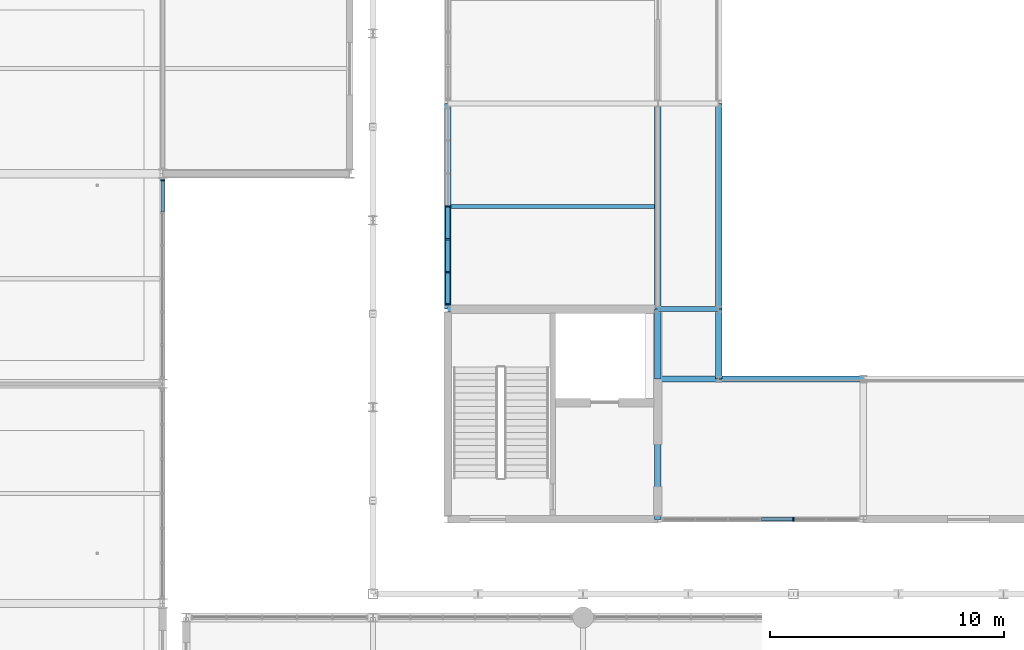
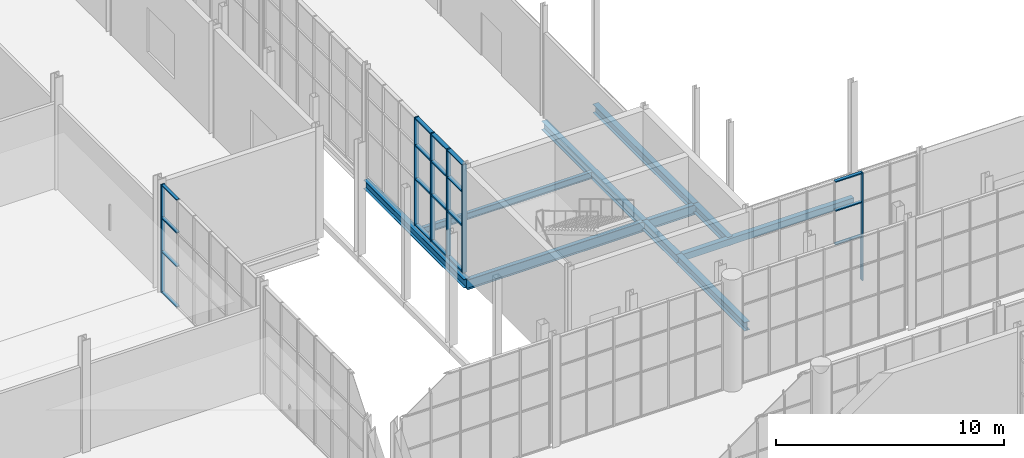
# One storey, part 52 of 159: 25 members, 10 beams, 3 elements without a shape of their own.
"""IFC4 building model written with IfcOpenShell, lengths in metres."""

import ifcopenshell
import ifcopenshell.guid

model = None  # the IFC model being written
_history = None  # IfcOwnerHistory: only IFC2X3 demands one
_inside = {}  # id of a spatial element -> (the spatial element, [elements in it])
_under = {}  # id of a project, library or spatial element -> (it, [spatial elements below it])
_declared = {}  # id of a project -> (the project, [libraries it declares])
_typed = {}  # id of a type object -> (the type object, [elements of that type])
_made_of = {}  # id of a material, layer set ... -> (it, [elements and type objects made of it])


def new_model(schema):
    """Start an empty IFC model of exactly this schema.

    Asked for "IFC4X3", IfcOpenShell would pick the latest addendum, in which some entities
    have other attributes; the version numbers below select the first issue.
    IFC2X3 requires an IfcOwnerHistory on every rooted entity: one is made here for all.
    """
    global model, _history
    if schema == "IFC4X3":
        model = ifcopenshell.file(schema_version=(4, 3, 0, 0))
    else:
        model = ifcopenshell.file(schema=schema)
    _inside.clear()
    _under.clear()
    _declared.clear()
    _typed.clear()
    _made_of.clear()
    _history = None
    if model.schema == "IFC2X3":
        org = make("IfcOrganization", Name="unknown")
        user = make(
            "IfcPersonAndOrganization",
            ThePerson=make("IfcPerson", FamilyName="unknown"),
            TheOrganization=org,
        )
        app = make(
            "IfcApplication",
            ApplicationDeveloper=org,
            Version="unknown",
            ApplicationFullName="unknown",
            ApplicationIdentifier="unknown",
        )
        _history = make(
            "IfcOwnerHistory",
            OwningUser=user,
            OwningApplication=app,
            ChangeAction="ADDED",
            CreationDate=0,
        )
    return model


def make(cls, **values):
    """One entity of the class cls with the attributes given. An attribute that is None is left unset."""
    return model.create_entity(
        cls, **{name: value for name, value in values.items() if value is not None}
    )


def rooted(cls, **values):
    """An entity with a GlobalId (a new one), such as an element, a storey or a relation."""
    return make(cls, GlobalId=ifcopenshell.guid.new(), OwnerHistory=_history, **values)


def si_unit(unit_type, name, prefix=None):
    """IfcSIUnit, for example si_unit("LENGTHUNIT", "METRE", prefix="MILLI")."""
    return make("IfcSIUnit", UnitType=unit_type, Prefix=prefix, Name=name)


def assignment(units):
    """IfcUnitAssignment: the units of a project."""
    return None if units is None else make("IfcUnitAssignment", Units=units)


def point(xyz):
    """IfcCartesianPoint."""
    return None if xyz is None else make("IfcCartesianPoint", Coordinates=xyz)


def direction(xyz):
    """IfcDirection."""
    return None if xyz is None else make("IfcDirection", DirectionRatios=xyz)


def frame(location, z_axis=None, x_axis=None):
    """IfcAxis2Placement3D, a coordinate frame: its origin and axes. An axis left out is left unset."""
    return make(
        "IfcAxis2Placement3D",
        Location=point(location),
        Axis=direction(z_axis),
        RefDirection=direction(x_axis),
    )


def frame_2d(location, x_axis=None):
    """IfcAxis2Placement2D, a coordinate frame in the plane: its origin and x axis."""
    return make(
        "IfcAxis2Placement2D", Location=point(location), RefDirection=direction(x_axis)
    )


def origin():
    """The frame at (0, 0, 0) with its axes left unset."""
    return frame((0.0, 0.0, 0.0))


def origin_2d():
    """The frame at (0, 0) in the plane with its x axis left unset."""
    return frame_2d((0.0, 0.0))


def place(relative_to, where):
    """IfcLocalPlacement: puts the frame where relative to a parent placement (None: the world)."""
    return make(
        "IfcLocalPlacement", PlacementRelTo=relative_to, RelativePlacement=where
    )


def context(
    kind, dimensions, precision=None, world=None, true_north=None, identifier=None
):
    """IfcGeometricRepresentationContext, for example the 3D "Model" context."""
    return make(
        "IfcGeometricRepresentationContext",
        ContextIdentifier=identifier,
        ContextType=kind,
        CoordinateSpaceDimension=dimensions,
        Precision=precision,
        WorldCoordinateSystem=world,
        TrueNorth=true_north,
    )


def subcontext(parent, identifier, kind, view, scale=None):
    """IfcGeometricRepresentationSubContext, for example "Body" below "Model"."""
    return make(
        "IfcGeometricRepresentationSubContext",
        ContextIdentifier=identifier,
        ContextType=kind,
        ParentContext=parent,
        TargetScale=scale,
        TargetView=view,
    )


def project(units=None, contexts=None):
    """IfcProject with its units and contexts."""
    return rooted(
        "IfcProject",
        Name="project",
        RepresentationContexts=contexts,
        UnitsInContext=assignment(units),
    )


def spatial(cls, under=None, at=None, **own):
    """A site, building, storey or space (cls), placed at a placement, below another one or the project."""
    s = rooted(cls, ObjectPlacement=at, **own)
    if under is not None:
        _under.setdefault(under.id(), (under, []))[1].append(s)
    return s


def profile(cls, at=None, kind="AREA", **sizes):
    """A parametric profile (cls). Its sizes go by their IFC names, for example OverallWidth=200.0."""
    return make(cls, ProfileType=kind, Position=at, **sizes)


def rectangle(**sizes):
    """IfcRectangleProfileDef."""
    return profile("IfcRectangleProfileDef", **sizes)


def hollow_rectangle(**sizes):
    """IfcRectangleHollowProfileDef."""
    return profile("IfcRectangleHollowProfileDef", **sizes)


def i_section(**sizes):
    """IfcIShapeProfileDef."""
    return profile("IfcIShapeProfileDef", **sizes)


def extrude(swept, where, along, depth):
    """IfcExtrudedAreaSolid: the profile swept, set in the frame where, extruded along a direction by depth."""
    return make(
        "IfcExtrudedAreaSolid",
        SweptArea=swept,
        Position=where,
        ExtrudedDirection=direction(along),
        Depth=depth,
    )


def shape(context_of_items, identifier, shape_type, items):
    """IfcShapeRepresentation: the items that make up one representation, for example the "Body"."""
    return make(
        "IfcShapeRepresentation",
        ContextOfItems=context_of_items,
        RepresentationIdentifier=identifier,
        RepresentationType=shape_type,
        Items=items,
    )


def material(Name=None, Category=None):
    """IfcMaterial."""
    return make("IfcMaterial", Name=Name, Category=Category)


def layer(
    of_material, thickness, ventilated=None, Name=None, Category=None, Priority=None
):
    """IfcMaterialLayer: one layer of a wall or slab, of a material (None: an air gap)."""
    return make(
        "IfcMaterialLayer",
        Material=of_material,
        LayerThickness=thickness,
        IsVentilated=ventilated,
        Name=Name,
        Category=Category,
        Priority=Priority,
    )


def layer_set(layers, Name=None):
    """IfcMaterialLayerSet."""
    return make("IfcMaterialLayerSet", MaterialLayers=layers, LayerSetName=Name)


def material_profile(
    of_material, cross_section, Name=None, Category=None, Priority=None
):
    """IfcMaterialProfile: a cross section and its material."""
    return make(
        "IfcMaterialProfile",
        Name=Name,
        Material=of_material,
        Profile=cross_section,
        Priority=Priority,
        Category=Category,
    )


def profile_set(profiles, Name=None, composite=None):
    """IfcMaterialProfileSet."""
    return make(
        "IfcMaterialProfileSet",
        Name=Name,
        MaterialProfiles=profiles,
        CompositeProfile=composite,
    )


def made_of(thing, what):
    """Note that an element or type object is made of a material, layer set ...; save() writes the relation."""
    if what is not None:
        _made_of.setdefault(what.id(), (what, []))[1].append(thing)
    return thing


def type_object(cls, material=None, **own):
    """A type object (cls), such as IfcWallType, which elements share."""
    return made_of(rooted(cls, **own), material)


def element(
    cls,
    number,
    at=None,
    inside=None,
    cuts=None,
    type_object=None,
    material=None,
    context=None,
    identifier="Body",
    shape_type=None,
    held_by="IfcProductDefinitionShape",
    body=None,
    shapes=None,
    **own,
):
    """One element of the class cls, such as IfcWall. Its Tag is "e" and its number.

    at: its placement. inside: the storey or other place that contains it. cuts: it is an
    opening in that element (IfcRelVoidsElement). A single representation is given by context,
    identifier, shape_type and body (its items); several are given by shapes. held_by: the class
    of the entity that holds the representations. save() writes the other relations.
    """
    e = rooted(cls, Tag="e%d" % number, ObjectPlacement=at, **own)
    if body is not None:
        shapes = [shape(context, identifier, shape_type, body)]
    if shapes is not None:
        e.Representation = make(held_by, Representations=shapes)
    if inside is not None:
        _inside.setdefault(inside.id(), (inside, []))[1].append(e)
    if cuts is not None:
        rooted(
            "IfcRelVoidsElement", RelatingBuildingElement=cuts, RelatedOpeningElement=e
        )
    if type_object is not None:
        _typed.setdefault(type_object.id(), (type_object, []))[1].append(e)
    return made_of(e, material)


def aggregate(whole, parts):
    """IfcRelAggregates: a whole, such as a stair, and the parts it consists of."""
    return rooted("IfcRelAggregates", RelatingObject=whole, RelatedObjects=parts)


def save(model, path):
    """Write the relations noted so far, then the file.

    IfcRelAggregates (storeys below a building ...), IfcRelContainedInSpatialStructure (elements
    in a storey), IfcRelDefinesByType, IfcRelAssociatesMaterial and IfcRelDeclares: one each for
    every whole, place, type object, material and project.
    """
    for whole, parts in _under.values():
        aggregate(whole, parts)
    for where, things in _inside.values():
        rooted(
            "IfcRelContainedInSpatialStructure",
            RelatedElements=things,
            RelatingStructure=where,
        )
    for kind, things in _typed.values():
        rooted("IfcRelDefinesByType", RelatedObjects=things, RelatingType=kind)
    for what, things in _made_of.values():
        rooted("IfcRelAssociatesMaterial", RelatedObjects=things, RelatingMaterial=what)
    for by, libraries in _declared.values():
        rooted("IfcRelDeclares", RelatingContext=by, RelatedDefinitions=libraries)
    model.write(path)


model = new_model("IFC4")

# Units and contexts
model_context = context("Model", 3, precision=1e-05, world=origin(), true_north=direction((0.0, 1.0)))
body_context = subcontext(model_context, "Body", "Model", "MODEL_VIEW")
ifc_project = project(units=[si_unit("LENGTHUNIT", "METRE"), si_unit("AREAUNIT", "SQUARE_METRE"), si_unit("VOLUMEUNIT", "CUBIC_METRE"), si_unit("PLANEANGLEUNIT", "RADIAN"), si_unit("MASSUNIT", "GRAM", prefix="KILO")], contexts=[model_context])

# Site, building, storey
site_placement = place(None, origin())
site = spatial("IfcSite", under=ifc_project, at=site_placement, CompositionType="ELEMENT")
building_placement = place(site_placement, origin())
building = spatial("IfcBuilding", under=site, at=building_placement, Name="Cazmaro Siding Exhibition Halls", CompositionType="ELEMENT")
storey_placement = place(building_placement, frame((0.0, 0.0, 6.0)))
storey = spatial("IfcBuildingStorey", under=building, at=storey_placement, Name="L01", CompositionType="ELEMENT", Elevation=6.0)

# Beams
ifc_material_1 = material(Name="Steel ASTM A992 Grade 50", Category="steel")
ifc_material_profile_1 = material_profile(ifc_material_1, i_section(OverallWidth=0.2099609375, OverallDepth=0.535888671875, WebThickness=0.010986328125, FlangeThickness=0.01708984375, at=origin_2d()), Name="W21X68")
ifc_profile_set_1 = profile_set([ifc_material_profile_1], Name="Steel ASTM A992 Grade 50")
beam_type_1 = type_object("IfcBeamType", Name="B-02", PredefinedType="BEAM", material=ifc_profile_set_1)
beam_1_placement = place(storey_placement, frame((48.199951171875, 76.199951171875, -0.488037109375), z_axis=(1.0, 0.0, 0.0), x_axis=(0.0, 1.0, 0.0)))
element("IfcBeam", 1, at=beam_1_placement, inside=storey, type_object=beam_type_1, Name="Beam B-02 BM-0348", PredefinedType="BEAM", context=body_context, shape_type="SweptSolid", body=[
    extrude(i_section(OverallWidth=0.2099609375, OverallDepth=0.535888671875, WebThickness=0.010986328125, FlangeThickness=0.01708984375, at=origin_2d()), origin(), (0.0, 0.0, 1.0), 9.0),
])
beam_2_placement = place(storey_placement, frame((57.199951171875, 76.199951171875, -0.488037109375), z_axis=(1.0, 0.0, 0.0), x_axis=(0.0, 1.0, 0.0)))
element("IfcBeam", 2, at=beam_2_placement, inside=storey, type_object=beam_type_1, Name="Beam B-02 BM-0364", PredefinedType="BEAM", context=body_context, shape_type="SweptSolid", body=[
    extrude(i_section(OverallWidth=0.2099609375, OverallDepth=0.535888671875, WebThickness=0.010986328125, FlangeThickness=0.01708984375, at=origin_2d()), origin(), (0.0, 0.0, 1.0), 2.60009765625),
])
ifc_material_2 = material(Name="Steel ASTM A992 Grade 50", Category="steel")
ifc_material_profile_2 = material_profile(ifc_material_2, i_section(OverallWidth=0.279052734375, OverallDepth=0.4619140625, WebThickness=0.010986328125, FlangeThickness=0.01708984375, at=origin_2d()), Name="W18X76")
ifc_profile_set_2 = profile_set([ifc_material_profile_2], Name="Steel ASTM A992 Grade 50")
beam_type_2 = type_object("IfcBeamType", Name="B-03", PredefinedType="BEAM", material=ifc_profile_set_2)
beam_3_placement = place(storey_placement, frame((57.199951171875, 67.199951171875, -0.450927734375), z_axis=(0.0, 1.0, 0.0), x_axis=(-1.0, 0.0, 0.0)))
element("IfcBeam", 3, at=beam_3_placement, inside=storey, type_object=beam_type_2, Name="Beam B-03 BM-0336", PredefinedType="BEAM", context=body_context, shape_type="SweptSolid", body=[
    extrude(i_section(OverallWidth=0.279052734375, OverallDepth=0.4619140625, WebThickness=0.010986328125, FlangeThickness=0.01708984375, at=origin_2d()), origin(), (0.0, 0.0, 1.0), 6.0),
])
for number, where, z_axis, x_axis, name in (
    (4, (48.199951171875, 76.199951171875, -0.450927734375), (0.0, 1.0, 0.0), (-1.0, 0.0, 0.0), "Beam B-03 BM-0352"),
    (5, (57.199951171875, 76.199951171875, -0.450927734375), (0.0, 1.0, 0.0), (-1.0, 0.0, 0.0), "Beam B-03 BM-0353"),
    (6, (59.800048828125, 76.199951171875, -0.450927734375), (0.0, 1.0, 0.0), (-1.0, 0.0, 0.0), "Beam B-03 BM-0368"),
):
    element("IfcBeam", number, at=place(storey_placement, frame(where, z_axis=z_axis, x_axis=x_axis)), inside=storey, type_object=beam_type_2, Name=name, PredefinedType="BEAM", context=body_context, shape_type="SweptSolid", body=[
        extrude(i_section(OverallWidth=0.279052734375, OverallDepth=0.4619140625, WebThickness=0.010986328125, FlangeThickness=0.01708984375, at=origin_2d()), origin(), (0.0, 0.0, 1.0), 8.800048828125),
    ])
for number, where, z_axis, x_axis, name in (
    (7, (57.199951171875, 73.199951171875, -0.450927734375), (0.0, 1.0, 0.0), (-1.0, 0.0, 0.0), "Beam B-03 BM-0394"),
    (8, (59.800048828125, 73.199951171875, -0.450927734375), (0.0, 1.0, 0.0), (-1.0, 0.0, 0.0), "Beam B-03 BM-0395"),
):
    element("IfcBeam", number, at=place(storey_placement, frame(where, z_axis=z_axis, x_axis=x_axis)), inside=storey, type_object=beam_type_2, Name=name, PredefinedType="BEAM", context=body_context, shape_type="SweptSolid", body=[
        extrude(i_section(OverallWidth=0.279052734375, OverallDepth=0.4619140625, WebThickness=0.010986328125, FlangeThickness=0.01708984375, at=origin_2d()), origin(), (0.0, 0.0, 1.0), 3.0),
    ])
ifc_material_3 = material(Name="Steel ASTM A500 Grade C", Category="steel")
ifc_material_profile_3 = material_profile(ifc_material_3, hollow_rectangle(XDim=0.25390625, YDim=0.35595703125, WallThickness=0.014892578125, at=origin_2d()), Name="HSS14X10X5/8")
ifc_profile_set_3 = profile_set([ifc_material_profile_3], Name="Steel ASTM A500 Grade C")
beam_type_3 = type_object("IfcBeamType", Name="B-06", PredefinedType="BEAM", material=ifc_profile_set_3)
beam_4_placement = place(storey_placement, frame((57.199951171875, 73.199951171875, -0.39794921875), z_axis=(1.0, 0.0, 0.0), x_axis=(0.0, 1.0, 0.0)))
element("IfcBeam", 9, at=beam_4_placement, inside=storey, type_object=beam_type_3, Name="Beam B-06 BM-0315", PredefinedType="BEAM", context=body_context, shape_type="SweptSolid", body=[
    extrude(hollow_rectangle(XDim=0.25390625, YDim=0.35595703125, WallThickness=0.014892578125, at=origin_2d()), origin(), (0.0, 0.0, 1.0), 8.800048828125),
])

# Curtain wall, member
ifc_material_4 = material(Name="Anodized Bronze Aluminum and Solar-Control Low-E Glazing", Category="aluminium")
ifc_layer_1 = layer(ifc_material_4, 0.179931640625)
ifc_layer_set_1 = layer_set([ifc_layer_1], Name="Anodized Bronze Aluminum and Solar-Control Low-E Glazing")
curtain_wall_type_1 = type_object("IfcCurtainWallType", Name="CWS-01", PredefinedType="USERDEFINED", material=ifc_layer_set_1)
curtain_wall_1_placement = place(storey_placement, origin())
curtain_wall_1 = element("IfcCurtainWall", 10, at=curtain_wall_1_placement, inside=storey, type_object=curtain_wall_type_1, Name="Glazed Curtain Wall CWS-01 CW-004", ObjectType="GLAZED CURTAIN WALL", PredefinedType="USERDEFINED")
ifc_material_5 = material(Name="Anodized Bronze Extruded Aluminum", Category="aluminium")
ifc_material_profile_4 = material_profile(ifc_material_5, rectangle(XDim=0.179931640625, YDim=0.06005859375, at=origin_2d()), Name="CWM-01")
ifc_profile_set_4 = profile_set([ifc_material_profile_4], Name="Anodized Bronze Extruded Aluminum")
member_type_1 = type_object("IfcMemberType", Name="CWM-01", PredefinedType="MULLION", material=ifc_profile_set_4)
member_1_placement = place(storey_placement, frame((63.0009765625, 67.199951171875, 0.0), z_axis=(0.0, 0.0, 1.0), x_axis=(0.0, 1.0, 0.0)))
member_1 = element("IfcMember", 11, at=member_1_placement, type_object=member_type_1, Name="CWS-01 mullion 5", PredefinedType="MULLION", context=body_context, shape_type="SweptSolid", body=[
    extrude(rectangle(XDim=0.179931640625, YDim=0.06005859375, at=origin_2d()), origin(), (0.0, 0.0, 1.0), 5.780029296875),
])

curtain_wall_2_placement = place(storey_placement, origin())
curtain_wall_2 = element("IfcCurtainWall", 12, at=curtain_wall_2_placement, inside=storey, type_object=curtain_wall_type_1, Name="Glazed Curtain Wall CWS-01 CW-232", ObjectType="GLAZED CURTAIN WALL", PredefinedType="USERDEFINED")
member_2_placement = place(storey_placement, frame((36.0, 81.717041015625, 0.0), z_axis=(0.0, 0.0, 1.0), x_axis=(-1.0, 0.0, 0.0)))
member_2 = element("IfcMember", 13, at=member_2_placement, type_object=member_type_1, Name="CWS-01 mullion 7", PredefinedType="MULLION", context=body_context, shape_type="SweptSolid", body=[
    extrude(rectangle(XDim=0.179931640625, YDim=0.06005859375, at=origin_2d()), origin(), (0.0, 0.0, 1.0), 5.780029296875),
])

# Curtain wall, members
ifc_material_6 = material(Name="Anodized Bronze Aluminum and Solar-Control Low-E Glazing", Category="aluminium")
ifc_layer_2 = layer(ifc_material_6, 0.219970703125)
ifc_layer_set_2 = layer_set([ifc_layer_2], Name="Anodized Bronze Aluminum and Solar-Control Low-E Glazing")
curtain_wall_type_2 = type_object("IfcCurtainWallType", Name="CWS-03", PredefinedType="USERDEFINED", material=ifc_layer_set_2)
curtain_wall_3_placement = place(storey_placement, origin())
curtain_wall_3 = element("IfcCurtainWall", 14, at=curtain_wall_3_placement, inside=storey, type_object=curtain_wall_type_2, Name="Glazed Curtain Wall CWS-03 CW-051", ObjectType="GLAZED CURTAIN WALL", PredefinedType="USERDEFINED")
ifc_material_7 = material(Name="Anodized Bronze Extruded Aluminum", Category="aluminium")
ifc_material_profile_5 = material_profile(ifc_material_7, rectangle(XDim=0.219970703125, YDim=0.070068359375, at=origin_2d()), Name="CWM-03")
ifc_profile_set_5 = profile_set([ifc_material_profile_5], Name="Anodized Bronze Extruded Aluminum")
member_type_2 = type_object("IfcMemberType", Name="CWM-03", PredefinedType="MULLION", material=ifc_profile_set_5)
member_3_placement = place(storey_placement, frame((48.199951171875, 80.60009765625, 0.0), z_axis=(0.0, 0.0, 1.0), x_axis=(1.0, 0.0, 0.0)))
member_3 = element("IfcMember", 15, at=member_3_placement, type_object=member_type_2, Name="CWS-03 mullion 4", PredefinedType="MULLION", context=body_context, shape_type="SweptSolid", body=[
    extrude(rectangle(XDim=0.219970703125, YDim=0.070068359375, at=origin_2d()), origin(), (0.0, 0.0, 1.0), 5.780029296875),
])
member_4_placement = place(storey_placement, frame((48.199951171875, 79.1923828125, 0.0), z_axis=(0.0, 0.0, 1.0), x_axis=(1.0, 0.0, 0.0)))
member_4 = element("IfcMember", 16, at=member_4_placement, type_object=member_type_2, Name="CWS-03 mullion 5", PredefinedType="MULLION", context=body_context, shape_type="SweptSolid", body=[
    extrude(rectangle(XDim=0.219970703125, YDim=0.070068359375, at=origin_2d()), origin(), (0.0, 0.0, 1.0), 5.780029296875),
])
member_5_placement = place(storey_placement, frame((48.199951171875, 77.78466796875, 0.0), z_axis=(0.0, 0.0, 1.0), x_axis=(1.0, 0.0, 0.0)))
member_5 = element("IfcMember", 17, at=member_5_placement, type_object=member_type_2, Name="CWS-03 mullion 6", PredefinedType="MULLION", context=body_context, shape_type="SweptSolid", body=[
    extrude(rectangle(XDim=0.219970703125, YDim=0.070068359375, at=origin_2d()), origin(), (0.0, 0.0, 1.0), 5.780029296875),
])
member_6_placement = place(storey_placement, frame((48.199951171875, 76.412109375, 0.0), z_axis=(0.0, 0.0, 1.0), x_axis=(1.0, 0.0, 0.0)))
member_6 = element("IfcMember", 18, at=member_6_placement, type_object=member_type_2, Name="CWS-03 mullion 7", PredefinedType="MULLION", context=body_context, shape_type="SweptSolid", body=[
    extrude(rectangle(XDim=0.219970703125, YDim=0.070068359375, at=origin_2d()), origin(), (0.0, 0.0, 1.0), 5.780029296875),
])

# Member
ifc_material_8 = material(Name="Anodized Bronze Extruded Aluminum", Category="aluminium")
ifc_material_profile_6 = material_profile(ifc_material_8, rectangle(XDim=0.159912109375, YDim=0.06005859375, at=origin_2d()), Name="CWT-01")
ifc_profile_set_6 = profile_set([ifc_material_profile_6], Name="Anodized Bronze Extruded Aluminum")
member_type_3 = type_object("IfcMemberType", Name="CWT-01", PredefinedType="MULLION", material=ifc_profile_set_6)
member_7_placement = place(storey_placement, frame((61.6298828125, 67.199951171875, 2.39990234375), z_axis=(1.0, 0.0, 0.0), x_axis=(0.0, 1.0, 0.0)))
member_7 = element("IfcMember", 19, at=member_7_placement, type_object=member_type_3, Name="CWS-01 transom 4.2", ObjectType="TRANSOM", PredefinedType="USERDEFINED", context=body_context, shape_type="SweptSolid", body=[
    extrude(rectangle(XDim=0.159912109375, YDim=0.06005859375, at=origin_2d()), origin(), (0.0, 0.0, 1.0), 1.341064453125),
])

member_8_placement = place(storey_placement, frame((61.6298828125, 67.199951171875, 4.199951171875), z_axis=(1.0, 0.0, 0.0), x_axis=(0.0, 1.0, 0.0)))
member_8 = element("IfcMember", 20, at=member_8_placement, type_object=member_type_3, Name="CWS-01 transom 4.3", ObjectType="TRANSOM", PredefinedType="USERDEFINED", context=body_context, shape_type="SweptSolid", body=[
    extrude(rectangle(XDim=0.159912109375, YDim=0.06005859375, at=origin_2d()), origin(), (0.0, 0.0, 1.0), 1.341064453125),
])

member_9_placement = place(storey_placement, frame((61.6298828125, 67.199951171875, 5.75), z_axis=(1.0, 0.0, 0.0), x_axis=(0.0, 1.0, 0.0)))
member_9 = element("IfcMember", 21, at=member_9_placement, type_object=member_type_3, Name="CWS-01 transom 4.4", ObjectType="TRANSOM", PredefinedType="USERDEFINED", context=body_context, shape_type="SweptSolid", body=[
    extrude(rectangle(XDim=0.159912109375, YDim=0.06005859375, at=origin_2d()), origin(), (0.0, 0.0, 1.0), 1.341064453125),
])

aggregate(curtain_wall_1, [member_1, member_7, member_8, member_9])

member_10_placement = place(storey_placement, frame((36.0, 80.361328125, 0.030029296875), z_axis=(0.0, 1.0, 0.0), x_axis=(-1.0, 0.0, 0.0)))
member_10 = element("IfcMember", 22, at=member_10_placement, type_object=member_type_3, Name="CWS-01 transom 6.1", ObjectType="TRANSOM", PredefinedType="USERDEFINED", context=body_context, shape_type="SweptSolid", body=[
    extrude(rectangle(XDim=0.159912109375, YDim=0.06005859375, at=origin_2d()), origin(), (0.0, 0.0, 1.0), 1.32568359375),
])

member_11_placement = place(storey_placement, frame((36.0, 80.361328125, 2.199951171875), z_axis=(0.0, 1.0, 0.0), x_axis=(-1.0, 0.0, 0.0)))
member_11 = element("IfcMember", 23, at=member_11_placement, type_object=member_type_3, Name="CWS-01 transom 6.2", ObjectType="TRANSOM", PredefinedType="USERDEFINED", context=body_context, shape_type="SweptSolid", body=[
    extrude(rectangle(XDim=0.159912109375, YDim=0.06005859375, at=origin_2d()), origin(), (0.0, 0.0, 1.0), 1.32568359375),
])

member_12_placement = place(storey_placement, frame((36.0, 80.361328125, 4.0), z_axis=(0.0, 1.0, 0.0), x_axis=(-1.0, 0.0, 0.0)))
member_12 = element("IfcMember", 24, at=member_12_placement, type_object=member_type_3, Name="CWS-01 transom 6.3", ObjectType="TRANSOM", PredefinedType="USERDEFINED", context=body_context, shape_type="SweptSolid", body=[
    extrude(rectangle(XDim=0.159912109375, YDim=0.06005859375, at=origin_2d()), origin(), (0.0, 0.0, 1.0), 1.32568359375),
])

member_13_placement = place(storey_placement, frame((36.0, 80.361328125, 5.75), z_axis=(0.0, 1.0, 0.0), x_axis=(-1.0, 0.0, 0.0)))
member_13 = element("IfcMember", 25, at=member_13_placement, type_object=member_type_3, Name="CWS-01 transom 6.4", ObjectType="TRANSOM", PredefinedType="USERDEFINED", context=body_context, shape_type="SweptSolid", body=[
    extrude(rectangle(XDim=0.159912109375, YDim=0.06005859375, at=origin_2d()), origin(), (0.0, 0.0, 1.0), 1.32568359375),
])

aggregate(curtain_wall_2, [member_2, member_10, member_11, member_12, member_13])

ifc_material_9 = material(Name="Anodized Bronze Extruded Aluminum", Category="aluminium")
ifc_material_profile_7 = material_profile(ifc_material_9, rectangle(XDim=0.199951171875, YDim=0.070068359375, at=origin_2d()), Name="CWT-03")
ifc_profile_set_7 = profile_set([ifc_material_profile_7], Name="Anodized Bronze Extruded Aluminum")
member_type_4 = type_object("IfcMemberType", Name="CWT-03", PredefinedType="MULLION", material=ifc_profile_set_7)
member_14_placement = place(storey_placement, frame((48.199951171875, 80.56494140625, 0.034912109375), z_axis=(0.0, -1.0, 0.0), x_axis=(1.0, 0.0, 0.0)))
member_14 = element("IfcMember", 26, at=member_14_placement, type_object=member_type_4, Name="CWS-03 transom 4.1", ObjectType="TRANSOM", PredefinedType="USERDEFINED", context=body_context, shape_type="SweptSolid", body=[
    extrude(rectangle(XDim=0.199951171875, YDim=0.070068359375, at=origin_2d()), origin(), (0.0, 0.0, 1.0), 1.337646484375),
])

member_15_placement = place(storey_placement, frame((48.199951171875, 80.56494140625, 2.5), z_axis=(0.0, -1.0, 0.0), x_axis=(1.0, 0.0, 0.0)))
member_15 = element("IfcMember", 27, at=member_15_placement, type_object=member_type_4, Name="CWS-03 transom 4.2", ObjectType="TRANSOM", PredefinedType="USERDEFINED", context=body_context, shape_type="SweptSolid", body=[
    extrude(rectangle(XDim=0.199951171875, YDim=0.070068359375, at=origin_2d()), origin(), (0.0, 0.0, 1.0), 1.337646484375),
])

member_16_placement = place(storey_placement, frame((48.199951171875, 80.56494140625, 4.300048828125), z_axis=(0.0, -1.0, 0.0), x_axis=(1.0, 0.0, 0.0)))
member_16 = element("IfcMember", 28, at=member_16_placement, type_object=member_type_4, Name="CWS-03 transom 4.3", ObjectType="TRANSOM", PredefinedType="USERDEFINED", context=body_context, shape_type="SweptSolid", body=[
    extrude(rectangle(XDim=0.199951171875, YDim=0.070068359375, at=origin_2d()), origin(), (0.0, 0.0, 1.0), 1.337646484375),
])

member_17_placement = place(storey_placement, frame((48.199951171875, 80.56494140625, 5.7451171875), z_axis=(0.0, -1.0, 0.0), x_axis=(1.0, 0.0, 0.0)))
member_17 = element("IfcMember", 29, at=member_17_placement, type_object=member_type_4, Name="CWS-03 transom 4.4", ObjectType="TRANSOM", PredefinedType="USERDEFINED", context=body_context, shape_type="SweptSolid", body=[
    extrude(rectangle(XDim=0.199951171875, YDim=0.070068359375, at=origin_2d()), origin(), (0.0, 0.0, 1.0), 1.337646484375),
])

member_18_placement = place(storey_placement, frame((48.199951171875, 79.1572265625, 0.034912109375), z_axis=(0.0, -1.0, 0.0), x_axis=(1.0, 0.0, 0.0)))
member_18 = element("IfcMember", 30, at=member_18_placement, type_object=member_type_4, Name="CWS-03 transom 5.1", ObjectType="TRANSOM", PredefinedType="USERDEFINED", context=body_context, shape_type="SweptSolid", body=[
    extrude(rectangle(XDim=0.199951171875, YDim=0.070068359375, at=origin_2d()), origin(), (0.0, 0.0, 1.0), 1.337646484375),
])

member_19_placement = place(storey_placement, frame((48.199951171875, 79.1572265625, 2.5), z_axis=(0.0, -1.0, 0.0), x_axis=(1.0, 0.0, 0.0)))
member_19 = element("IfcMember", 31, at=member_19_placement, type_object=member_type_4, Name="CWS-03 transom 5.2", ObjectType="TRANSOM", PredefinedType="USERDEFINED", context=body_context, shape_type="SweptSolid", body=[
    extrude(rectangle(XDim=0.199951171875, YDim=0.070068359375, at=origin_2d()), origin(), (0.0, 0.0, 1.0), 1.337646484375),
])

member_20_placement = place(storey_placement, frame((48.199951171875, 79.1572265625, 4.300048828125), z_axis=(0.0, -1.0, 0.0), x_axis=(1.0, 0.0, 0.0)))
member_20 = element("IfcMember", 32, at=member_20_placement, type_object=member_type_4, Name="CWS-03 transom 5.3", ObjectType="TRANSOM", PredefinedType="USERDEFINED", context=body_context, shape_type="SweptSolid", body=[
    extrude(rectangle(XDim=0.199951171875, YDim=0.070068359375, at=origin_2d()), origin(), (0.0, 0.0, 1.0), 1.337646484375),
])

member_21_placement = place(storey_placement, frame((48.199951171875, 79.1572265625, 5.7451171875), z_axis=(0.0, -1.0, 0.0), x_axis=(1.0, 0.0, 0.0)))
member_21 = element("IfcMember", 33, at=member_21_placement, type_object=member_type_4, Name="CWS-03 transom 5.4", ObjectType="TRANSOM", PredefinedType="USERDEFINED", context=body_context, shape_type="SweptSolid", body=[
    extrude(rectangle(XDim=0.199951171875, YDim=0.070068359375, at=origin_2d()), origin(), (0.0, 0.0, 1.0), 1.337646484375),
])

member_22_placement = place(storey_placement, frame((48.199951171875, 77.749755859375, 0.034912109375), z_axis=(0.0, -1.0, 0.0), x_axis=(1.0, 0.0, 0.0)))
member_22 = element("IfcMember", 34, at=member_22_placement, type_object=member_type_4, Name="CWS-03 transom 6.1", ObjectType="TRANSOM", PredefinedType="USERDEFINED", context=body_context, shape_type="SweptSolid", body=[
    extrude(rectangle(XDim=0.199951171875, YDim=0.070068359375, at=origin_2d()), origin(), (0.0, 0.0, 1.0), 1.302734375),
])

member_23_placement = place(storey_placement, frame((48.199951171875, 77.749755859375, 2.5), z_axis=(0.0, -1.0, 0.0), x_axis=(1.0, 0.0, 0.0)))
member_23 = element("IfcMember", 35, at=member_23_placement, type_object=member_type_4, Name="CWS-03 transom 6.2", ObjectType="TRANSOM", PredefinedType="USERDEFINED", context=body_context, shape_type="SweptSolid", body=[
    extrude(rectangle(XDim=0.199951171875, YDim=0.070068359375, at=origin_2d()), origin(), (0.0, 0.0, 1.0), 1.302734375),
])

member_24_placement = place(storey_placement, frame((48.199951171875, 77.749755859375, 4.300048828125), z_axis=(0.0, -1.0, 0.0), x_axis=(1.0, 0.0, 0.0)))
member_24 = element("IfcMember", 36, at=member_24_placement, type_object=member_type_4, Name="CWS-03 transom 6.3", ObjectType="TRANSOM", PredefinedType="USERDEFINED", context=body_context, shape_type="SweptSolid", body=[
    extrude(rectangle(XDim=0.199951171875, YDim=0.070068359375, at=origin_2d()), origin(), (0.0, 0.0, 1.0), 1.302734375),
])

member_25_placement = place(storey_placement, frame((48.199951171875, 77.749755859375, 5.7451171875), z_axis=(0.0, -1.0, 0.0), x_axis=(1.0, 0.0, 0.0)))
member_25 = element("IfcMember", 37, at=member_25_placement, type_object=member_type_4, Name="CWS-03 transom 6.4", ObjectType="TRANSOM", PredefinedType="USERDEFINED", context=body_context, shape_type="SweptSolid", body=[
    extrude(rectangle(XDim=0.199951171875, YDim=0.070068359375, at=origin_2d()), origin(), (0.0, 0.0, 1.0), 1.302734375),
])

aggregate(curtain_wall_3, [member_3, member_4, member_5, member_6, member_14, member_15, member_16, member_17, member_18, member_19, member_20, member_21, member_22, member_23, member_24, member_25])

# Beam
ifc_material_10 = material(Name="Steel ASTM A992 Grade 50", Category="steel")
ifc_material_profile_8 = material_profile(ifc_material_10, i_section(OverallWidth=0.1708984375, OverallDepth=0.35595703125, WebThickness=0.007080078125, FlangeThickness=0.011962890625, at=origin_2d()), Name="W14X34")
ifc_profile_set_8 = profile_set([ifc_material_profile_8], Name="Steel ASTM A992 Grade 50")
beam_type_4 = type_object("IfcBeamType", Name="J-04", PredefinedType="JOIST", material=ifc_profile_set_8)
beam_5_placement = place(storey_placement, frame((48.340087890625, 80.60009765625, -0.39794921875), z_axis=(1.0, 0.0, 0.0), x_axis=(0.0, 1.0, 0.0)))
element("IfcBeam", 38, at=beam_5_placement, inside=storey, type_object=beam_type_4, Name="Beam J-04 BM-0354", PredefinedType="JOIST", context=body_context, shape_type="SweptSolid", body=[
    extrude(i_section(OverallWidth=0.1708984375, OverallDepth=0.35595703125, WebThickness=0.007080078125, FlangeThickness=0.011962890625, at=origin_2d()), origin(), (0.0, 0.0, 1.0), 8.719970703125),
])

save(model, "model.ifc")
